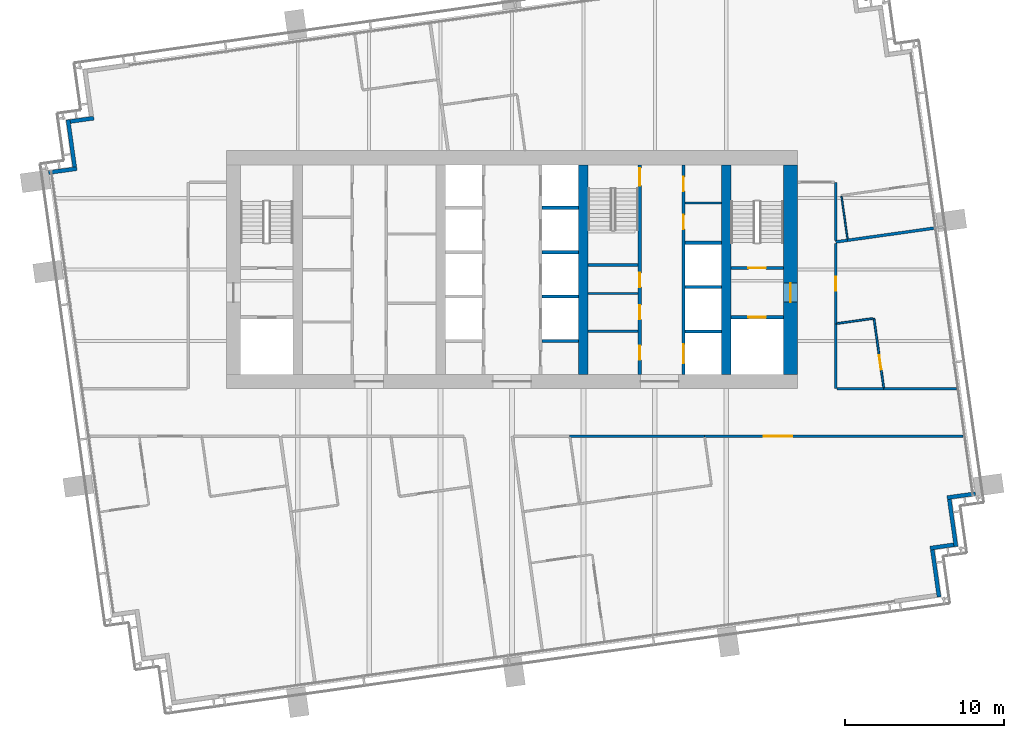
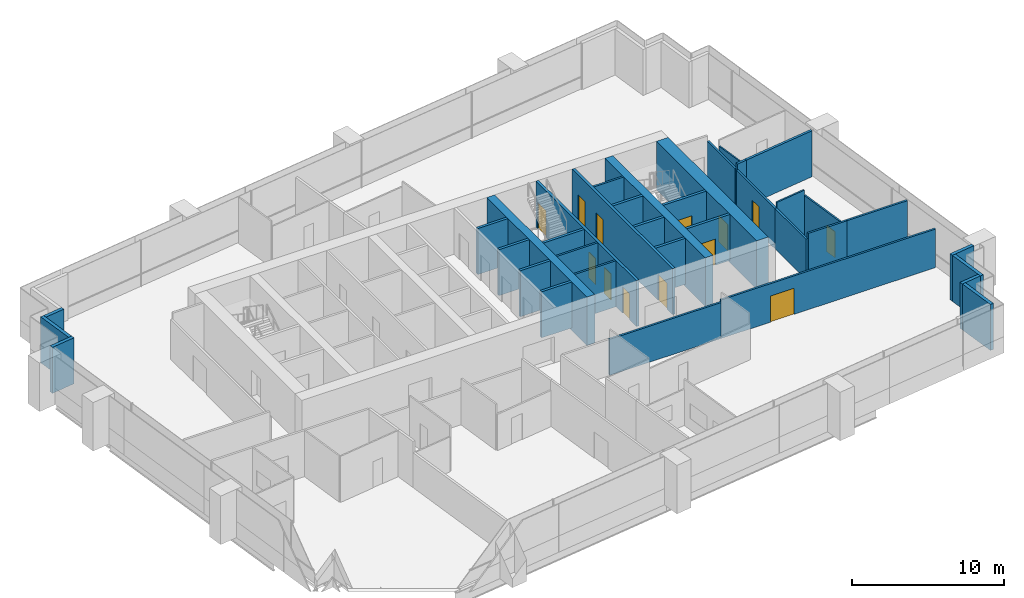
# One storey, part 11 of 18: 37 walls, 13 doors, 13 openings.
"""IFC4 building model written with IfcOpenShell, lengths in metres."""

from ifc_helpers import new_model, si_unit, direction, frame, frame_2d, origin, place, context, subcontext, project, spatial, rectangle, extrude, material, layer, layer_set, type_object, element, fill, save


model = new_model("IFC4")

# Units and contexts
model_context = context("Model", 3, precision=1e-05, world=origin(), true_north=direction((0.0, 1.0)))
body_context = subcontext(model_context, "Body", "Model", "MODEL_VIEW")
ifc_project = project(units=[si_unit("LENGTHUNIT", "METRE"), si_unit("AREAUNIT", "SQUARE_METRE"), si_unit("VOLUMEUNIT", "CUBIC_METRE"), si_unit("PLANEANGLEUNIT", "RADIAN"), si_unit("MASSUNIT", "GRAM", prefix="KILO")], contexts=[model_context])

# Site, building, storey
site_placement = place(None, origin())
site = spatial("IfcSite", under=ifc_project, at=site_placement, CompositionType="ELEMENT")
building_placement = place(site_placement, origin())
building = spatial("IfcBuilding", under=site, at=building_placement, Name="Rattan Terrace Tower", CompositionType="ELEMENT")
storey_placement = place(building_placement, frame((0.0, 0.0, 176.300048828125)))
storey = spatial("IfcBuildingStorey", under=building, at=storey_placement, Name="L40", CompositionType="ELEMENT", Elevation=176.300048828125)

# Walls
ifc_material_1 = material(Name="Gypsum board partition")
ifc_layer_1 = layer(ifc_material_1, 0.14990234375)
ifc_layer_set_1 = layer_set([ifc_layer_1], Name="Core partition 150")
wall_type_1 = type_object("IfcWallType", Name="Core partition 150", PredefinedType="PARTITIONING", material=ifc_layer_set_1)
for number, where, z_axis, x_axis, name in (
    (1, (4.800048828125, -3.8798828125, 0.0), (0.0, 0.0, 1.0), (1.0, 0.0, 0.0), "Toilet wall"),
    (2, (4.800048828125, -1.5, 0.0), (0.0, 0.0, 1.0), (1.0, 0.0, 0.0), "Toilet wall"),
):
    element("IfcWall", number, at=place(storey_placement, frame(where, z_axis=z_axis, x_axis=x_axis)), inside=storey, type_object=wall_type_1, Name=name, PredefinedType="PARTITIONING", context=body_context, shape_type="SweptSolid", body=[
        extrude(rectangle(XDim=3.14990234375, YDim=0.14990234375, at=frame_2d((1.574951171875, 0.0))), origin(), (0.0, 0.0, 1.0), 3.699951171875),
    ])
wall_1_placement = place(storey_placement, frame((10.89990234375, 4.199951171875, 0.0), z_axis=(0.0, 0.0, 1.0), x_axis=(1.0, 0.0, 0.0)))
element("IfcWall", 3, at=wall_1_placement, inside=storey, type_object=wall_type_1, Name="Riser room wall", PredefinedType="PARTITIONING", context=body_context, shape_type="SweptSolid", body=[
    extrude(rectangle(XDim=2.300048828125, YDim=0.14990234375, at=frame_2d((1.14990234375, 0.0))), origin(), (0.0, 0.0, 1.0), 3.699951171875),
])

# Wall, opening, door
ifc_material_2 = material(Name="Gypsum board partition")
ifc_layer_2 = layer(ifc_material_2, 0.199951171875)
ifc_layer_set_2 = layer_set([ifc_layer_2], Name="Core partition 200")
wall_type_2 = type_object("IfcWallType", Name="Core partition 200", PredefinedType="PARTITIONING", material=ifc_layer_set_2)
wall_2_placement = place(storey_placement, frame((13.800048828125, -3.0, 0.0), z_axis=(0.0, 0.0, 1.0), x_axis=(1.0, 0.0, 0.0)))
wall_2 = element("IfcWall", 4, at=wall_2_placement, inside=storey, type_object=wall_type_2, Name="Fire-fighting lobby wall", PredefinedType="PARTITIONING", context=body_context, shape_type="SweptSolid", body=[
    extrude(rectangle(XDim=3.300048828125, YDim=0.199951171875, at=frame_2d((1.64990234375, 0.0))), origin(), (0.0, 0.0, 1.0), 3.699951171875),
])
opening_1_placement = place(wall_2_placement, frame((1.10009765625, 0.0, 0.0)))
opening_1 = element("IfcOpeningElement", 5, at=opening_1_placement, cuts=wall_2, Name="Opening L40-LD-FF2", PredefinedType="OPENING", context=body_context, shape_type="SweptSolid", body=[
    extrude(rectangle(XDim=1.10009765625, YDim=2.10009765625, at=frame_2d((0.550048828125, 1.050048828125))), frame((0.0, 0.110595703125, 0.0), z_axis=(0.0, -1.0, 0.0), x_axis=(1.0, 0.0, 0.0)), (0.0, 0.0, 1.0), 0.220947265625),
])
ifc_material_3 = material(Name="Brushed stainless landing door panel")
door_type_1 = type_object("IfcDoorType", Name="Core lift landing door 1100", OperationType="DOUBLE_DOOR_SLIDING", PredefinedType="DOOR", material=ifc_material_3)
door_1_placement = place(opening_1_placement, origin())
door_1 = element("IfcDoor", 6, at=door_1_placement, inside=storey, type_object=door_type_1, Name="Door L40-LD-FF2", OperationType="DOUBLE_DOOR_SLIDING", OverallHeight=2.10009765625, OverallWidth=1.10009765625, PredefinedType="DOOR", context=body_context, shape_type="SweptSolid", body=[
    extrude(rectangle(XDim=1.10009765625, YDim=2.10009765625, at=frame_2d((0.550048828125, 1.050048828125))), frame((0.0, 0.02490234375, 0.0), z_axis=(0.0, -1.0, 0.0), x_axis=(1.0, 0.0, 0.0)), (0.0, 0.0, 1.0), 0.050048828125),
])
fill(opening_1, door_1)

wall_3_placement = place(storey_placement, frame((13.800048828125, 0.10009765625, 0.0), z_axis=(0.0, 0.0, 1.0), x_axis=(1.0, 0.0, 0.0)))
wall_3 = element("IfcWall", 7, at=wall_3_placement, inside=storey, type_object=wall_type_2, Name="Stair enclosure wall", PredefinedType="PARTITIONING", context=body_context, shape_type="SweptSolid", body=[
    extrude(rectangle(XDim=3.300048828125, YDim=0.199951171875, at=frame_2d((1.64990234375, 0.0))), origin(), (0.0, 0.0, 1.0), 3.699951171875),
])
opening_2_placement = place(wall_3_placement, frame((1.10009765625, 0.0, 0.0)))
opening_2 = element("IfcOpeningElement", 8, at=opening_2_placement, cuts=wall_3, Name="Opening L40-D004", PredefinedType="OPENING", context=body_context, shape_type="SweptSolid", body=[
    extrude(rectangle(XDim=1.10009765625, YDim=2.10009765625, at=frame_2d((0.550048828125, 1.050048828125))), frame((0.0, 0.110595703125, 0.0), z_axis=(0.0, -1.0, 0.0), x_axis=(1.0, 0.0, 0.0)), (0.0, 0.0, 1.0), 0.220947265625),
])
ifc_material_4 = material(Name="Hollow-metal fire door leaf")
door_type_2 = type_object("IfcDoorType", Name="Core stair door 1100", OperationType="NOTDEFINED", PredefinedType="DOOR", material=ifc_material_4)
door_2_placement = place(opening_2_placement, origin())
door_2 = element("IfcDoor", 9, at=door_2_placement, inside=storey, type_object=door_type_2, Name="Door L40-D004", OperationType="SINGLE_SWING_RIGHT", OverallHeight=2.10009765625, OverallWidth=1.10009765625, PredefinedType="DOOR", context=body_context, shape_type="SweptSolid", body=[
    extrude(rectangle(XDim=1.10009765625, YDim=2.10009765625, at=frame_2d((0.550048828125, 1.050048828125))), frame((0.0, 0.02490234375, 0.0), z_axis=(0.0, -1.0, 0.0), x_axis=(1.0, 0.0, 0.0)), (0.0, 0.0, 1.0), 0.050048828125),
])
fill(opening_2, door_2)

# Wall, openings, doors
wall_4_placement = place(storey_placement, frame((8.050048828125, -6.60009765625, 0.0), z_axis=(0.0, 0.0, 1.0), x_axis=(0.0, 1.0, 0.0)))
wall_4 = element("IfcWall", 10, at=wall_4_placement, inside=storey, type_object=wall_type_2, Name="Lobby wall west", PredefinedType="PARTITIONING", context=body_context, shape_type="SweptSolid", body=[
    extrude(rectangle(XDim=13.2001953125, YDim=0.199951171875, at=frame_2d((6.60009765625, 0.0))), origin(), (0.0, 0.0, 1.0), 3.699951171875),
])
opening_3_placement = place(wall_4_placement, frame((0.909912109375, 0.0, 0.0)))
opening_3 = element("IfcOpeningElement", 11, at=opening_3_placement, cuts=wall_4, Name="Opening L40-D016", PredefinedType="OPENING", context=body_context, shape_type="SweptSolid", body=[
    extrude(rectangle(XDim=0.89990234375, YDim=2.10009765625, at=frame_2d((0.449951171875, 1.050048828125))), frame((0.0, 0.110595703125, 0.0), z_axis=(0.0, -1.0, 0.0), x_axis=(1.0, 0.0, 0.0)), (0.0, 0.0, 1.0), 0.220947265625),
])
opening_4_placement = place(wall_4_placement, frame((3.4599609375, 0.0, 0.0)))
opening_4 = element("IfcOpeningElement", 12, at=opening_4_placement, cuts=wall_4, Name="Opening L40-D017", PredefinedType="OPENING", context=body_context, shape_type="SweptSolid", body=[
    extrude(rectangle(XDim=0.89990234375, YDim=2.10009765625, at=frame_2d((0.449951171875, 1.050048828125))), frame((0.0, 0.110595703125, 0.0), z_axis=(0.0, -1.0, 0.0), x_axis=(1.0, 0.0, 0.0)), (0.0, 0.0, 1.0), 0.220947265625),
])
opening_5_placement = place(wall_4_placement, frame((5.5, 0.0, 0.0)))
opening_5 = element("IfcOpeningElement", 13, at=opening_5_placement, cuts=wall_4, Name="Opening L40-D018", PredefinedType="OPENING", context=body_context, shape_type="SweptSolid", body=[
    extrude(rectangle(XDim=0.89990234375, YDim=2.10009765625, at=frame_2d((0.449951171875, 1.050048828125))), frame((0.0, 0.110595703125, 0.0), z_axis=(0.0, -1.0, 0.0), x_axis=(1.0, 0.0, 0.0)), (0.0, 0.0, 1.0), 0.220947265625),
])
opening_6_placement = place(wall_4_placement, frame((11.89990234375, 0.0, 0.0)))
opening_6 = element("IfcOpeningElement", 14, at=opening_6_placement, cuts=wall_4, Name="Opening L40-D019", PredefinedType="OPENING", context=body_context, shape_type="SweptSolid", body=[
    extrude(rectangle(XDim=1.10009765625, YDim=2.10009765625, at=frame_2d((0.550048828125, 1.050048828125))), frame((0.0, 0.110595703125, 0.0), z_axis=(0.0, -1.0, 0.0), x_axis=(1.0, 0.0, 0.0)), (0.0, 0.0, 1.0), 0.220947265625),
])
ifc_material_5 = material(Name="Hollow-metal fire door leaf")
door_type_3 = type_object("IfcDoorType", Name="Core service room door 900", OperationType="NOTDEFINED", PredefinedType="DOOR", material=ifc_material_5)
door_3_placement = place(opening_5_placement, origin())
door_3 = element("IfcDoor", 15, at=door_3_placement, inside=storey, type_object=door_type_3, Name="Door L40-D018", OperationType="SINGLE_SWING_LEFT", OverallHeight=2.10009765625, OverallWidth=0.89990234375, PredefinedType="DOOR", context=body_context, shape_type="SweptSolid", body=[
    extrude(rectangle(XDim=0.89990234375, YDim=2.10009765625, at=frame_2d((0.449951171875, 1.050048828125))), frame((0.0, 0.02490234375, 0.0), z_axis=(0.0, -1.0, 0.0), x_axis=(1.0, 0.0, 0.0)), (0.0, 0.0, 1.0), 0.050048828125),
])
fill(opening_5, door_3)
door_4_placement = place(opening_6_placement, origin())
door_4 = element("IfcDoor", 16, at=door_4_placement, inside=storey, type_object=door_type_2, Name="Door L40-D019", OperationType="SINGLE_SWING_RIGHT", OverallHeight=2.10009765625, OverallWidth=1.10009765625, PredefinedType="DOOR", context=body_context, shape_type="SweptSolid", body=[
    extrude(rectangle(XDim=1.10009765625, YDim=2.10009765625, at=frame_2d((0.550048828125, 1.050048828125))), frame((0.0, 0.02490234375, 0.0), z_axis=(0.0, -1.0, 0.0), x_axis=(1.0, 0.0, 0.0)), (0.0, 0.0, 1.0), 0.050048828125),
])
fill(opening_6, door_4)
ifc_material_6 = material(Name="Hollow-metal fire door leaf")
door_type_4 = type_object("IfcDoorType", Name="Core toilet door 900", OperationType="NOTDEFINED", PredefinedType="DOOR", material=ifc_material_6)
door_5_placement = place(opening_3_placement, origin())
door_5 = element("IfcDoor", 17, at=door_5_placement, inside=storey, type_object=door_type_4, Name="Door L40-D016", OperationType="SINGLE_SWING_LEFT", OverallHeight=2.10009765625, OverallWidth=0.89990234375, PredefinedType="DOOR", context=body_context, shape_type="SweptSolid", body=[
    extrude(rectangle(XDim=0.89990234375, YDim=2.10009765625, at=frame_2d((0.449951171875, 1.050048828125))), frame((0.0, 0.02490234375, 0.0), z_axis=(0.0, -1.0, 0.0), x_axis=(1.0, 0.0, 0.0)), (0.0, 0.0, 1.0), 0.050048828125),
])
fill(opening_3, door_5)
door_6_placement = place(opening_4_placement, origin())
door_6 = element("IfcDoor", 18, at=door_6_placement, inside=storey, type_object=door_type_4, Name="Door L40-D017", OperationType="SINGLE_SWING_RIGHT", OverallHeight=2.10009765625, OverallWidth=0.89990234375, PredefinedType="DOOR", context=body_context, shape_type="SweptSolid", body=[
    extrude(rectangle(XDim=0.89990234375, YDim=2.10009765625, at=frame_2d((0.449951171875, 1.050048828125))), frame((0.0, 0.02490234375, 0.0), z_axis=(0.0, -1.0, 0.0), x_axis=(1.0, 0.0, 0.0)), (0.0, 0.0, 1.0), 0.050048828125),
])
fill(opening_4, door_6)

# Wall
wall_5_placement = place(storey_placement, frame((4.800048828125, 0.300048828125, 0.0), z_axis=(0.0, 0.0, 1.0), x_axis=(1.0, 0.0, 0.0)))
element("IfcWall", 19, at=wall_5_placement, inside=storey, type_object=wall_type_2, Name="Stair enclosure wall", PredefinedType="PARTITIONING", context=body_context, shape_type="SweptSolid", body=[
    extrude(rectangle(XDim=3.14990234375, YDim=0.199951171875, at=frame_2d((1.574951171875, 0.0))), origin(), (0.0, 0.0, 1.0), 3.699951171875),
])

# Wall, opening, door
ifc_material_7 = material(Name="Concrete C60/75", Category="concrete")
ifc_layer_3 = layer(ifc_material_7, 0.89990234375)
ifc_layer_set_3 = layer_set([ifc_layer_3], Name="Core ring wall 900 C60/75")
wall_type_3 = type_object("IfcWallType", Name="Core ring wall 900 C60/75", PredefinedType="SHEAR", material=ifc_layer_set_3)
wall_6_placement = place(storey_placement, frame((17.550048828125, -6.60009765625, -0.199951171875), z_axis=(0.0, 0.0, 1.0), x_axis=(0.0, 1.0, 0.0)))
wall_6 = element("IfcWall", 20, at=wall_6_placement, inside=storey, type_object=wall_type_3, Name="Rear core wall east", PredefinedType="SHEAR", context=body_context, shape_type="SweptSolid", body=[
    extrude(rectangle(XDim=13.2001953125, YDim=0.89990234375, at=frame_2d((6.60009765625, 0.0))), origin(), (0.0, 0.0, 1.0), 3.89990234375),
])
opening_7_placement = place(wall_6_placement, frame((4.550048828125, 0.0, 0.199951171875)))
opening_7 = element("IfcOpeningElement", 21, at=opening_7_placement, cuts=wall_6, Name="Opening L40-D003", PredefinedType="OPENING", context=body_context, shape_type="SweptSolid", body=[
    extrude(rectangle(XDim=1.199951171875, YDim=2.10009765625, at=frame_2d((0.60009765625, 1.050048828125))), frame((0.0, 0.46044921875, 0.0), z_axis=(0.0, -1.0, 0.0), x_axis=(1.0, 0.0, 0.0)), (0.0, 0.0, 1.0), 0.9208984375),
])
ifc_material_8 = material(Name="Hollow-metal fire door leaf")
door_type_5 = type_object("IfcDoorType", Name="Core fire-fighting lobby door 1200", OperationType="NOTDEFINED", PredefinedType="DOOR", material=ifc_material_8)
door_7_placement = place(opening_7_placement, origin())
door_7 = element("IfcDoor", 22, at=door_7_placement, inside=storey, type_object=door_type_5, Name="Door L40-D003", OperationType="SINGLE_SWING_LEFT", OverallHeight=2.10009765625, OverallWidth=1.199951171875, PredefinedType="DOOR", context=body_context, shape_type="SweptSolid", body=[
    extrude(rectangle(XDim=1.199951171875, YDim=2.10009765625, at=frame_2d((0.60009765625, 1.050048828125))), frame((0.0, 0.02490234375, 0.0), z_axis=(0.0, -1.0, 0.0), x_axis=(1.0, 0.0, 0.0)), (0.0, 0.0, 1.0), 0.050048828125),
])
fill(opening_7, door_7)

# Walls
ifc_material_9 = material(Name="Concrete C60/75", Category="concrete")
ifc_layer_4 = layer(ifc_material_9, 0.60009765625)
ifc_layer_set_4 = layer_set([ifc_layer_4], Name="Core spine wall 600 C60/75")
wall_type_4 = type_object("IfcWallType", Name="Core spine wall 600 C60/75", PredefinedType="SHEAR", material=ifc_layer_set_4)
for number, where, z_axis, x_axis, name in (
    (23, (4.5, -6.60009765625, -0.199951171875), (0.0, 0.0, 1.0), (0.0, 1.0, 0.0), "Core spine wall 3"),
    (24, (13.5, -6.60009765625, -0.199951171875), (0.0, 0.0, 1.0), (0.0, 1.0, 0.0), "Core spine wall 4"),
):
    element("IfcWall", number, at=place(storey_placement, frame(where, z_axis=z_axis, x_axis=x_axis)), inside=storey, type_object=wall_type_4, Name=name, PredefinedType="SHEAR", context=body_context, shape_type="SweptSolid", body=[
        extrude(rectangle(XDim=13.2001953125, YDim=0.60009765625, at=frame_2d((6.60009765625, 0.0))), origin(), (0.0, 0.0, 1.0), 3.89990234375),
    ])
ifc_material_10 = material(Name="Insulated aluminium-clad stud wall", Category="aluminium")
ifc_layer_5 = layer(ifc_material_10, 0.25)
ifc_layer_set_5 = layer_set([ifc_layer_5], Name="Facade Riser Wall 250")
wall_type_5 = type_object("IfcWallType", Name="Facade Riser Wall 250", PredefinedType="SOLIDWALL", material=ifc_layer_set_5)
wall_7_placement = place(storey_placement, frame((26.9052734375, -20.6220703125, 0.0), z_axis=(0.0, 0.0, 1.0), x_axis=(-0.139313431826, 0.990248336385, 0.0)))
element("IfcWall", 25, at=wall_7_placement, inside=storey, type_object=wall_type_5, Name="Riser wall L40-2", PredefinedType="SOLIDWALL", context=body_context, shape_type="SweptSolid", body=[
    extrude(rectangle(XDim=3.000244140625, YDim=0.25, at=frame_2d((1.5, 0.0))), origin(), (0.0, 0.0, 1.0), 3.699951171875),
])
wall_8_placement = place(storey_placement, frame((26.34619140625, -17.54443359375, 0.0), z_axis=(0.0, 0.0, 1.0), x_axis=(0.990368090482, 0.13845954411, 0.0)))
element("IfcWall", 26, at=wall_8_placement, inside=storey, type_object=wall_type_5, Name="Riser wall L40-3", PredefinedType="SOLIDWALL", context=body_context, shape_type="SweptSolid", body=[
    extrude(rectangle(XDim=1.50048828125, YDim=0.25, at=frame_2d((0.750244140625, 0.0))), origin(), (0.0, 0.0, 1.0), 3.699951171875),
])
wall_9_placement = place(storey_placement, frame((27.973388671875, -17.443115234375, 0.0), z_axis=(0.0, 0.0, 1.0), x_axis=(-0.139313431826, 0.990248336385, 0.0)))
element("IfcWall", 27, at=wall_9_placement, inside=storey, type_object=wall_type_5, Name="Riser wall L40-4", PredefinedType="SOLIDWALL", context=body_context, shape_type="SweptSolid", body=[
    extrude(rectangle(XDim=3.000244140625, YDim=0.25, at=frame_2d((1.5, 0.0))), origin(), (0.0, 0.0, 1.0), 3.699951171875),
])
wall_10_placement = place(storey_placement, frame((27.414306640625, -14.36572265625, 0.0), z_axis=(0.0, 0.0, 1.0), x_axis=(0.990256286673, 0.139256908998, 0.0)))
element("IfcWall", 28, at=wall_10_placement, inside=storey, type_object=wall_type_5, Name="Riser wall L40-5", PredefinedType="SOLIDWALL", context=body_context, shape_type="SweptSolid", body=[
    extrude(rectangle(XDim=1.800537109375, YDim=0.25, at=frame_2d((0.900390625, 0.0))), origin(), (0.0, 0.0, 1.0), 3.699951171875),
])
wall_11_placement = place(storey_placement, frame((-26.34619140625, 9.54443359375, 0.0), z_axis=(0.0, 0.0, 1.0), x_axis=(-0.990368090482, -0.13845954411, 0.0)))
element("IfcWall", 29, at=wall_11_placement, inside=storey, type_object=wall_type_5, Name="Riser wall L40-13", PredefinedType="SOLIDWALL", context=body_context, shape_type="SweptSolid", body=[
    extrude(rectangle(XDim=1.50048828125, YDim=0.25, at=frame_2d((0.750244140625, 0.0))), origin(), (0.0, 0.0, 1.0), 3.699951171875),
])
wall_12_placement = place(storey_placement, frame((-27.973388671875, 9.443115234375, 0.0), z_axis=(0.0, 0.0, 1.0), x_axis=(0.139313431826, -0.990248336385, 0.0)))
element("IfcWall", 30, at=wall_12_placement, inside=storey, type_object=wall_type_5, Name="Riser wall L40-14", PredefinedType="SOLIDWALL", context=body_context, shape_type="SweptSolid", body=[
    extrude(rectangle(XDim=3.000244140625, YDim=0.25, at=frame_2d((1.5, 0.0))), origin(), (0.0, 0.0, 1.0), 3.699951171875),
])
wall_13_placement = place(storey_placement, frame((-27.414306640625, 6.36572265625, 0.0), z_axis=(0.0, 0.0, 1.0), x_axis=(-0.990256286673, -0.139256908998, 0.0)))
element("IfcWall", 31, at=wall_13_placement, inside=storey, type_object=wall_type_5, Name="Riser wall L40-15", PredefinedType="SOLIDWALL", context=body_context, shape_type="SweptSolid", body=[
    extrude(rectangle(XDim=1.800537109375, YDim=0.25, at=frame_2d((0.900390625, 0.0))), origin(), (0.0, 0.0, 1.0), 3.699951171875),
])
ifc_material_11 = material(Name="Double steel stud acoustic partition, gypsum board, mineral wool, fire rated", Category="steel")
ifc_layer_6 = layer(ifc_material_11, 0.179931640625)
ifc_layer_set_6 = layer_set([ifc_layer_6], Name="Floors Acoustic Party Wall 180")
wall_type_6 = type_object("IfcWallType", Name="Floors Acoustic Party Wall 180", PredefinedType="PARTITIONING", material=ifc_layer_set_6)
wall_14_placement = place(storey_placement, frame((20.39892578125, 1.7451171875, 0.0), z_axis=(0.0, 0.0, 1.0), x_axis=(0.990315465901, 0.138835434947, 0.0)))
element("IfcWall", 32, at=wall_14_placement, inside=storey, type_object=wall_type_6, Name="pt-L40-048", PredefinedType="PARTITIONING", context=body_context, shape_type="SweptSolid", body=[
    extrude(rectangle(XDim=0.740234375, YDim=0.179931640625, at=frame_2d((0.3701171875, 0.0))), origin(), (0.0, 0.0, 1.0), 3.699951171875),
])
wall_15_placement = place(storey_placement, frame((21.132080078125, 1.847900390625, 0.0), z_axis=(0.0, 0.0, 1.0), x_axis=(0.990277893792, 0.139103174181, 0.0)))
element("IfcWall", 33, at=wall_15_placement, inside=storey, type_object=wall_type_6, Name="pt-L40-049", PredefinedType="PARTITIONING", context=body_context, shape_type="SweptSolid", body=[
    extrude(rectangle(XDim=5.50048828125, YDim=0.179931640625, at=frame_2d((2.750244140625, 0.0))), origin(), (0.0, 0.0, 1.0), 3.699951171875),
])
ifc_material_12 = material(Name="Gypsum board partition on steel studs", Category="steel")
ifc_layer_7 = layer(ifc_material_12, 0.10009765625)
ifc_layer_set_7 = layer_set([ifc_layer_7], Name="Floors Partition 100")
wall_type_7 = type_object("IfcWallType", Name="Floors Partition 100", PredefinedType="PARTITIONING", material=ifc_layer_set_7)
wall_16_placement = place(storey_placement, frame((20.761962890625, 4.623046875, 0.0), z_axis=(0.0, 0.0, 1.0), x_axis=(0.139125052108, -0.990274820379, 0.0)))
element("IfcWall", 34, at=wall_16_placement, inside=storey, type_object=wall_type_7, Name="pt-L40-050", PredefinedType="PARTITIONING", context=body_context, shape_type="SweptSolid", body=[
    extrude(rectangle(XDim=2.70947265625, YDim=0.10009765625, at=frame_2d((1.354736328125, 0.0))), origin(), (0.0, 0.0, 1.0), 3.25),
])

# Wall, opening, door
ifc_material_13 = material(Name="Gypsum board partition on steel studs, fire rated", Category="steel")
ifc_layer_8 = layer(ifc_material_13, 0.14990234375)
ifc_layer_set_8 = layer_set([ifc_layer_8], Name="Floors Tenancy Wall 150")
wall_type_8 = type_object("IfcWallType", Name="Floors Tenancy Wall 150", PredefinedType="PARTITIONING", material=ifc_layer_set_8)
wall_17_placement = place(storey_placement, frame((28.4208984375, -10.5, 0.0), z_axis=(0.0, 0.0, 1.0), x_axis=(-1.0, 0.0, 0.0)))
wall_17 = element("IfcWall", 35, at=wall_17_placement, inside=storey, type_object=wall_type_8, Name="pt-L40-010", PredefinedType="PARTITIONING", context=body_context, shape_type="SweptSolid", body=[
    extrude(rectangle(XDim=16.307861328125, YDim=0.14990234375, at=frame_2d((8.15380859375, 0.0))), origin(), (0.0, 0.0, 1.0), 3.099853515625),
])
opening_8_placement = place(wall_17_placement, frame((10.756103515625, 0.0, 0.0)))
opening_8 = element("IfcOpeningElement", 36, at=opening_8_placement, cuts=wall_17, Name="Opening L40-D106", PredefinedType="OPENING", context=body_context, shape_type="SweptSolid", body=[
    extrude(rectangle(XDim=1.800048828125, YDim=2.10009765625, at=frame_2d((0.89990234375, 1.050048828125))), frame((0.0, 0.08544921875, 0.0), z_axis=(0.0, -1.0, 0.0), x_axis=(1.0, 0.0, 0.0)), (0.0, 0.0, 1.0), 0.1708984375),
])
ifc_material_14 = material(Name="Steel fire door set", Category="steel")
door_type_6 = type_object("IfcDoorType", Name="Floors Fire Door Pair FD30S 1800x2100", OperationType="NOTDEFINED", PredefinedType="DOOR", material=ifc_material_14)
door_8_placement = place(opening_8_placement, origin())
door_8 = element("IfcDoor", 37, at=door_8_placement, inside=storey, type_object=door_type_6, Name="d-L40-106", OperationType="DOUBLE_DOOR_SINGLE_SWING", OverallHeight=2.10009765625, OverallWidth=1.800048828125, PredefinedType="DOOR", context=body_context, shape_type="SweptSolid", body=[
    extrude(rectangle(XDim=1.800048828125, YDim=2.10009765625, at=frame_2d((0.89990234375, 1.050048828125))), frame((0.0, 0.02490234375, 0.0), z_axis=(0.0, -1.0, 0.0), x_axis=(1.0, 0.0, 0.0)), (0.0, 0.0, 1.0), 0.050048828125),
])
fill(opening_8, door_8)

# Wall
wall_18_placement = place(storey_placement, frame((12.113037109375, -10.5, 0.0), z_axis=(0.0, 0.0, 1.0), x_axis=(-1.0, 0.0, 0.0)))
element("IfcWall", 38, at=wall_18_placement, inside=storey, type_object=wall_type_8, Name="pt-L40-014", PredefinedType="PARTITIONING", context=body_context, shape_type="SweptSolid", body=[
    extrude(rectangle(XDim=8.483154296875, YDim=0.14990234375, at=frame_2d((4.24169921875, 0.0))), origin(), (0.0, 0.0, 1.0), 2.89990234375),
])

# Wall, opening, door
wall_19_placement = place(storey_placement, frame((20.39990234375, 1.656005859375, 0.0), z_axis=(0.0, 0.0, 1.0), x_axis=(0.0, -1.0, 0.0)))
wall_19 = element("IfcWall", 39, at=wall_19_placement, inside=storey, type_object=wall_type_8, Name="pt-L40-018", PredefinedType="PARTITIONING", context=body_context, shape_type="SweptSolid", body=[
    extrude(rectangle(XDim=5.0810546875, YDim=0.14990234375, at=frame_2d((2.54052734375, 0.0))), origin(), (0.0, 0.0, 1.0), 3.25),
])
opening_9_placement = place(wall_19_placement, frame((2.090087890625, 0.0, 0.0)))
opening_9 = element("IfcOpeningElement", 40, at=opening_9_placement, cuts=wall_19, Name="Opening L40-D112", PredefinedType="OPENING", context=body_context, shape_type="SweptSolid", body=[
    extrude(rectangle(XDim=0.89990234375, YDim=2.10009765625, at=frame_2d((0.449951171875, 1.050048828125))), frame((0.0, 0.08544921875, 0.0), z_axis=(0.0, -1.0, 0.0), x_axis=(1.0, 0.0, 0.0)), (0.0, 0.0, 1.0), 0.1708984375),
])
ifc_material_15 = material(Name="Steel fire door set", Category="steel")
door_type_7 = type_object("IfcDoorType", Name="Floors Fire Door FD30S 900x2100", OperationType="NOTDEFINED", PredefinedType="DOOR", material=ifc_material_15)
door_9_placement = place(opening_9_placement, origin())
door_9 = element("IfcDoor", 41, at=door_9_placement, inside=storey, type_object=door_type_7, Name="d-L40-112", OperationType="SINGLE_SWING_LEFT", OverallHeight=2.10009765625, OverallWidth=0.89990234375, PredefinedType="DOOR", context=body_context, shape_type="SweptSolid", body=[
    extrude(rectangle(XDim=0.89990234375, YDim=2.10009765625, at=frame_2d((0.449951171875, 1.050048828125))), frame((0.0, 0.02490234375, 0.0), z_axis=(0.0, -1.0, 0.0), x_axis=(1.0, 0.0, 0.0)), (0.0, 0.0, 1.0), 0.050048828125),
])
fill(opening_9, door_9)

# Walls
wall_20_placement = place(storey_placement, frame((23.408935546875, -7.5, 0.0), z_axis=(0.0, 0.0, 1.0), x_axis=(1.0, 0.0, 0.0)))
element("IfcWall", 42, at=wall_20_placement, inside=storey, type_object=wall_type_8, Name="pt-L40-019", PredefinedType="PARTITIONING", context=body_context, shape_type="SweptSolid", body=[
    extrude(rectangle(XDim=4.590087890625, YDim=0.14990234375, at=frame_2d((2.294921875, 0.0))), origin(), (0.0, 0.0, 1.0), 3.699951171875),
])
wall_21_placement = place(storey_placement, frame((20.39990234375, -3.425048828125, 0.0), z_axis=(0.0, 0.0, 1.0), x_axis=(0.0, -1.0, 0.0)))
element("IfcWall", 43, at=wall_21_placement, inside=storey, type_object=wall_type_8, Name="pt-L40-020", PredefinedType="PARTITIONING", context=body_context, shape_type="SweptSolid", body=[
    extrude(rectangle(XDim=4.074951171875, YDim=0.14990234375, at=frame_2d((2.03759765625, 0.0))), origin(), (0.0, 0.0, 1.0), 3.25),
])
wall_22_placement = place(storey_placement, frame((20.47509765625, -7.5, 0.0), z_axis=(0.0, 0.0, 1.0), x_axis=(1.0, 0.0, 0.0)))
element("IfcWall", 44, at=wall_22_placement, inside=storey, type_object=wall_type_8, Name="pt-L40-021", PredefinedType="PARTITIONING", context=body_context, shape_type="SweptSolid", body=[
    extrude(rectangle(XDim=2.933837890625, YDim=0.14990234375, at=frame_2d((1.466796875, 0.0))), origin(), (0.0, 0.0, 1.0), 3.699951171875),
])
wall_23_placement = place(storey_placement, frame((20.39990234375, 5.5, 0.0), z_axis=(0.0, 0.0, 1.0), x_axis=(0.0, -1.0, 0.0)))
element("IfcWall", 45, at=wall_23_placement, inside=storey, type_object=wall_type_8, Name="pt-L40-023", PredefinedType="PARTITIONING", context=body_context, shape_type="SweptSolid", body=[
    extrude(rectangle(XDim=3.654052734375, YDim=0.14990234375, at=frame_2d((1.8271484375, 0.0))), origin(), (0.0, 0.0, 1.0), 3.25),
])
ifc_material_16 = material(Name="Moisture resistant gypsum board partition on steel studs with service cavity", Category="steel")
ifc_layer_9 = layer(ifc_material_16, 0.1201171875)
ifc_layer_set_9 = layer_set([ifc_layer_9], Name="Floors Wet Wall 120")
wall_type_9 = type_object("IfcWallType", Name="Floors Wet Wall 120", PredefinedType="PARTITIONING", material=ifc_layer_set_9)
wall_24_placement = place(storey_placement, frame((22.7470703125, -3.074951171875, 0.0), z_axis=(0.0, 0.0, 1.0), x_axis=(-0.990231660618, -0.139431912808, 0.0)))
element("IfcWall", 46, at=wall_24_placement, inside=storey, type_object=wall_type_9, Name="pt-L40-046", PredefinedType="PARTITIONING", context=body_context, shape_type="SweptSolid", body=[
    extrude(rectangle(XDim=2.302490234375, YDim=0.1201171875, at=frame_2d((1.1513671875, 0.0))), origin(), (0.0, 0.0, 1.0), 3.699951171875),
])

# Wall, opening, door
wall_25_placement = place(storey_placement, frame((23.419921875, -7.43310546875, 0.0), z_axis=(0.0, 0.0, 1.0), x_axis=(-0.13925822498, 0.99025610161, 0.0)))
wall_25 = element("IfcWall", 47, at=wall_25_placement, inside=storey, type_object=wall_type_9, Name="pt-L40-047", PredefinedType="PARTITIONING", context=body_context, shape_type="SweptSolid", body=[
    extrude(rectangle(XDim=4.4091796875, YDim=0.1201171875, at=frame_2d((2.20458984375, 0.0))), origin(), (0.0, 0.0, 1.0), 3.25),
])
opening_10_placement = place(wall_25_placement, frame((1.153076171875, 0.0, 0.0)))
opening_10 = element("IfcOpeningElement", 48, at=opening_10_placement, cuts=wall_25, Name="Opening L40-D113", PredefinedType="OPENING", context=body_context, shape_type="SweptSolid", body=[
    extrude(rectangle(XDim=0.89990234375, YDim=2.10009765625, at=frame_2d((0.449951171875, 1.050048828125))), frame((0.0, 0.070556640625, 0.0), z_axis=(0.0, -1.0, 0.0), x_axis=(1.0, 0.0, 0.0)), (0.0, 0.0, 1.0), 0.14111328125),
])
ifc_material_17 = material(Name="Solid core timber door, painted", Category="wood")
door_type_8 = type_object("IfcDoorType", Name="Floors Door 900x2100", OperationType="NOTDEFINED", PredefinedType="DOOR", material=ifc_material_17)
door_10_placement = place(opening_10_placement, origin())
door_10 = element("IfcDoor", 49, at=door_10_placement, inside=storey, type_object=door_type_8, Name="d-L40-113", OperationType="SINGLE_SWING_LEFT", OverallHeight=2.10009765625, OverallWidth=0.89990234375, PredefinedType="DOOR", context=body_context, shape_type="SweptSolid", body=[
    extrude(rectangle(XDim=0.89990234375, YDim=2.10009765625, at=frame_2d((0.449951171875, 1.050048828125))), frame((0.0, 0.02490234375, 0.0), z_axis=(0.0, -1.0, 0.0), x_axis=(1.0, 0.0, 0.0)), (0.0, 0.0, 1.0), 0.050048828125),
])
fill(opening_10, door_10)

# Walls
ifc_material_18 = material(Name="Gypsum shaft wall system")
ifc_layer_10 = layer(ifc_material_18, 0.199951171875)
ifc_layer_set_10 = layer_set([ifc_layer_10], Name="Lift shaft wall 200")
wall_type_10 = type_object("IfcWallType", Name="Lift shaft wall 200", PredefinedType="PARTITIONING", material=ifc_layer_set_10)
for number, where, z_axis, x_axis, name in (
    (50, (1.89990234375, -1.699951171875, 0.0), (0.0, 0.0, 1.0), (1.0, 0.0, 0.0), "Lift shaft wall"),
    (51, (1.89990234375, 1.10009765625, 0.0), (0.0, 0.0, 1.0), (1.0, 0.0, 0.0), "Lift shaft wall"),
    (52, (1.89990234375, 3.89990234375, 0.0), (0.0, 0.0, 1.0), (1.0, 0.0, 0.0), "Lift shaft wall"),
    (53, (1.89990234375, -4.5, 0.0), (0.0, 0.0, 1.0), (1.0, 0.0, 0.0), "Lift shaft wall"),
):
    element("IfcWall", number, at=place(storey_placement, frame(where, z_axis=z_axis, x_axis=x_axis)), inside=storey, type_object=wall_type_10, Name=name, PredefinedType="PARTITIONING", context=body_context, shape_type="SweptSolid", body=[
        extrude(rectangle(XDim=2.300048828125, YDim=0.199951171875, at=frame_2d((1.14990234375, 0.0))), origin(), (0.0, 0.0, 1.0), 3.699951171875),
    ])

# Wall, openings, doors
wall_26_placement = place(storey_placement, frame((10.800048828125, -6.60009765625, 0.0), z_axis=(0.0, 0.0, 1.0), x_axis=(0.0, 1.0, 0.0)))
wall_26 = element("IfcWall", 54, at=wall_26_placement, inside=storey, type_object=wall_type_10, Name="Lift shaft front wall", PredefinedType="PARTITIONING", context=body_context, shape_type="SweptSolid", body=[
    extrude(rectangle(XDim=13.2001953125, YDim=0.199951171875, at=frame_2d((6.60009765625, 0.0))), origin(), (0.0, 0.0, 1.0), 3.699951171875),
])
opening_11_placement = place(wall_26_placement, frame((0.699951171875, 0.0, 0.0)))
opening_11 = element("IfcOpeningElement", 55, at=opening_11_placement, cuts=wall_26, Name="Opening L40-LD-SV1", PredefinedType="OPENING", context=body_context, shape_type="SweptSolid", body=[
    extrude(rectangle(XDim=1.199951171875, YDim=2.10009765625, at=frame_2d((0.60009765625, 1.050048828125))), frame((0.0, 0.110595703125, 0.0), z_axis=(0.0, -1.0, 0.0), x_axis=(1.0, 0.0, 0.0)), (0.0, 0.0, 1.0), 0.220947265625),
])
opening_12_placement = place(wall_26_placement, frame((9.14990234375, 0.0, 0.0)))
opening_12 = element("IfcOpeningElement", 56, at=opening_12_placement, cuts=wall_26, Name="Opening L40-D021", PredefinedType="OPENING", context=body_context, shape_type="SweptSolid", body=[
    extrude(rectangle(XDim=0.89990234375, YDim=2.10009765625, at=frame_2d((0.449951171875, 1.050048828125))), frame((0.0, 0.110595703125, 0.0), z_axis=(0.0, -1.0, 0.0), x_axis=(1.0, 0.0, 0.0)), (0.0, 0.0, 1.0), 0.220947265625),
])
opening_13_placement = place(wall_26_placement, frame((11.550048828125, 0.0, 0.0)))
opening_13 = element("IfcOpeningElement", 57, at=opening_13_placement, cuts=wall_26, Name="Opening L40-D022", PredefinedType="OPENING", context=body_context, shape_type="SweptSolid", body=[
    extrude(rectangle(XDim=0.89990234375, YDim=2.10009765625, at=frame_2d((0.449951171875, 1.050048828125))), frame((0.0, 0.110595703125, 0.0), z_axis=(0.0, -1.0, 0.0), x_axis=(1.0, 0.0, 0.0)), (0.0, 0.0, 1.0), 0.220947265625),
])
ifc_material_19 = material(Name="Brushed stainless landing door panel")
door_type_9 = type_object("IfcDoorType", Name="Core lift landing door 1200", OperationType="DOUBLE_DOOR_SLIDING", PredefinedType="DOOR", material=ifc_material_19)
door_11_placement = place(opening_11_placement, origin())
door_11 = element("IfcDoor", 58, at=door_11_placement, inside=storey, type_object=door_type_9, Name="Door L40-LD-SV1", OperationType="DOUBLE_DOOR_SLIDING", OverallHeight=2.10009765625, OverallWidth=1.199951171875, PredefinedType="DOOR", context=body_context, shape_type="SweptSolid", body=[
    extrude(rectangle(XDim=1.199951171875, YDim=2.10009765625, at=frame_2d((0.60009765625, 1.050048828125))), frame((0.0, 0.02490234375, 0.0), z_axis=(0.0, -1.0, 0.0), x_axis=(1.0, 0.0, 0.0)), (0.0, 0.0, 1.0), 0.050048828125),
])
fill(opening_11, door_11)
ifc_material_20 = material(Name="Hollow-metal fire door leaf")
door_type_10 = type_object("IfcDoorType", Name="Core riser door 900", OperationType="NOTDEFINED", PredefinedType="DOOR", material=ifc_material_20)
door_12_placement = place(opening_12_placement, origin())
door_12 = element("IfcDoor", 59, at=door_12_placement, inside=storey, type_object=door_type_10, Name="Door L40-D021", OperationType="SINGLE_SWING_LEFT", OverallHeight=2.10009765625, OverallWidth=0.89990234375, PredefinedType="DOOR", context=body_context, shape_type="SweptSolid", body=[
    extrude(rectangle(XDim=0.89990234375, YDim=2.10009765625, at=frame_2d((0.449951171875, 1.050048828125))), frame((0.0, 0.02490234375, 0.0), z_axis=(0.0, -1.0, 0.0), x_axis=(1.0, 0.0, 0.0)), (0.0, 0.0, 1.0), 0.050048828125),
])
fill(opening_12, door_12)
door_13_placement = place(opening_13_placement, origin())
door_13 = element("IfcDoor", 60, at=door_13_placement, inside=storey, type_object=door_type_10, Name="Door L40-D022", OperationType="SINGLE_SWING_RIGHT", OverallHeight=2.10009765625, OverallWidth=0.89990234375, PredefinedType="DOOR", context=body_context, shape_type="SweptSolid", body=[
    extrude(rectangle(XDim=0.89990234375, YDim=2.10009765625, at=frame_2d((0.449951171875, 1.050048828125))), frame((0.0, 0.02490234375, 0.0), z_axis=(0.0, -1.0, 0.0), x_axis=(1.0, 0.0, 0.0)), (0.0, 0.0, 1.0), 0.050048828125),
])
fill(opening_13, door_13)

# Walls
for number, where, z_axis, x_axis, name in (
    (61, (10.89990234375, -3.89990234375, 0.0), (0.0, 0.0, 1.0), (1.0, 0.0, 0.0), "Lift shaft wall"),
    (62, (10.89990234375, -1.10009765625, 0.0), (0.0, 0.0, 1.0), (1.0, 0.0, 0.0), "Lift shaft wall"),
    (63, (10.89990234375, 1.699951171875, 0.0), (0.0, 0.0, 1.0), (1.0, 0.0, 0.0), "Lift shaft wall"),
):
    element("IfcWall", number, at=place(storey_placement, frame(where, z_axis=z_axis, x_axis=x_axis)), inside=storey, type_object=wall_type_10, Name=name, PredefinedType="PARTITIONING", context=body_context, shape_type="SweptSolid", body=[
        extrude(rectangle(XDim=2.300048828125, YDim=0.199951171875, at=frame_2d((1.14990234375, 0.0))), origin(), (0.0, 0.0, 1.0), 3.699951171875),
    ])

save(model, "model.ifc")
